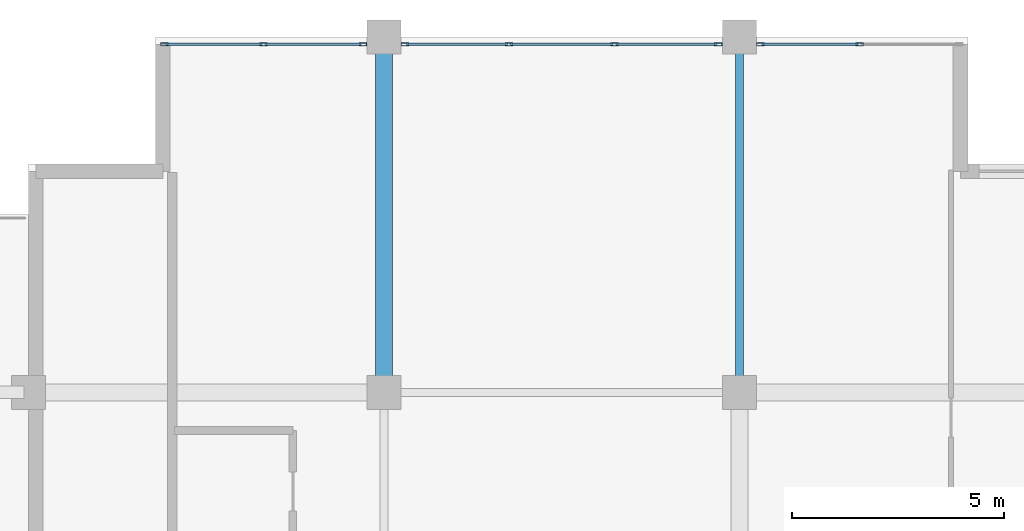
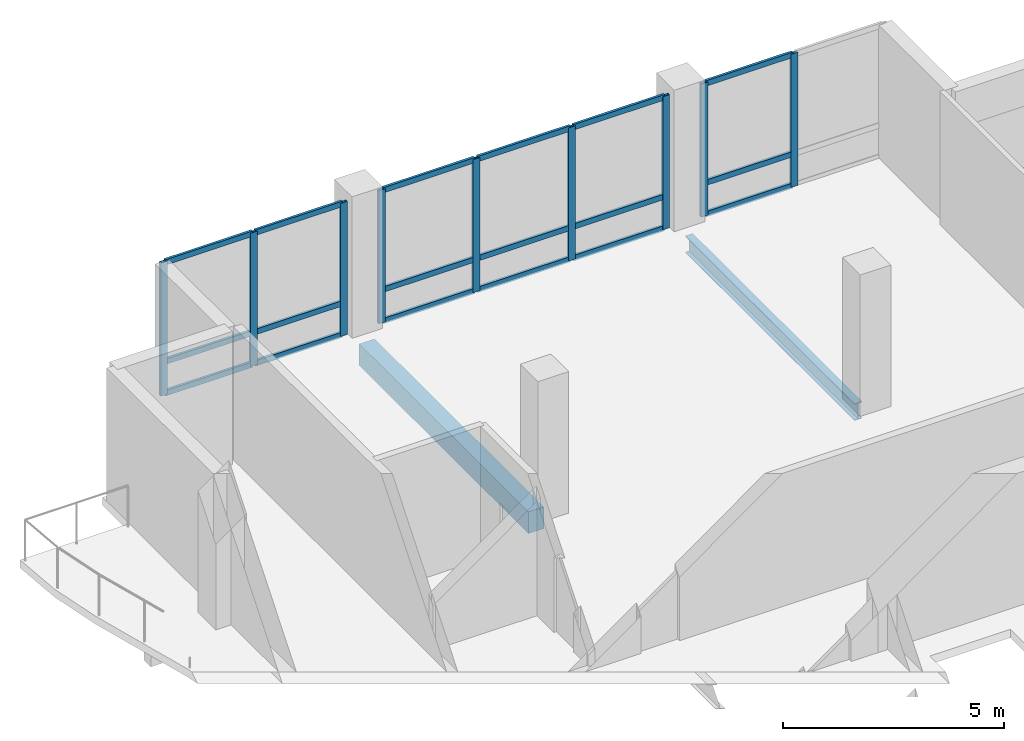
# One storey, part 3 of 17: 27 members, 2 beams, 3 elements without a shape of their own.
"""IFC4 building model written with IfcOpenShell, lengths in metres."""

from ifc_helpers import new_model, si_unit, direction, frame, origin, origin_2d, place, context, subcontext, project, spatial, rectangle, hollow_rectangle, i_section, extrude, material, layer, layer_set, material_profile, profile_set, type_object, element, aggregate, save


model = new_model("IFC4")

# Units and contexts
model_context = context("Model", 3, precision=1e-05, world=origin(), true_north=direction((0.0, 1.0)))
body_context = subcontext(model_context, "Body", "Model", "MODEL_VIEW")
ifc_project = project(units=[si_unit("LENGTHUNIT", "METRE"), si_unit("AREAUNIT", "SQUARE_METRE"), si_unit("VOLUMEUNIT", "CUBIC_METRE"), si_unit("PLANEANGLEUNIT", "RADIAN"), si_unit("MASSUNIT", "GRAM", prefix="KILO")], contexts=[model_context])

# Site, building, storey
site_placement = place(None, origin())
site = spatial("IfcSite", under=ifc_project, at=site_placement, CompositionType="ELEMENT")
building_placement = place(site_placement, origin())
building = spatial("IfcBuilding", under=site, at=building_placement, Name="Koriwani Terraces Tower", CompositionType="ELEMENT")
storey_placement = place(building_placement, frame((0.0, 0.0, 316.39990234375)))
storey = spatial("IfcBuildingStorey", under=building, at=storey_placement, Name="L78", CompositionType="ELEMENT", Elevation=316.39990234375)

# Beam
ifc_material_1 = material(Name="Concrete C40/50", Category="concrete")
ifc_material_profile_1 = material_profile(ifc_material_1, rectangle(XDim=0.39990234375, YDim=0.60009765625, at=origin_2d()), Name="Concrete C40/50", Category="LoadBearing")
ifc_profile_set_1 = profile_set([ifc_material_profile_1], Name="Concrete C40/50")
beam_type_1 = type_object("IfcBeamType", Name="BEAM_RC_GRID_400X600", PredefinedType="BEAM", material=ifc_profile_set_1)
beam_1_placement = place(storey_placement, frame((16.800048828125, 67.580078125, -0.52978515625), z_axis=(0.0, 1.0, 0.0), x_axis=(-1.0, 0.0, 0.0)))
element("IfcBeam", 1, at=beam_1_placement, inside=storey, type_object=beam_type_1, Name="L78 Grid Beam 3 (67.2-75.6m)", PredefinedType="BEAM", context=body_context, shape_type="SweptSolid", body=[
    extrude(rectangle(XDim=0.39990234375, YDim=0.60009765625, at=origin_2d()), origin(), (0.0, 0.0, 1.0), 7.639892578125),
])

# Curtain wall, members
ifc_material_2 = material(Name="Anodised Bronze Aluminium", Category="aluminium")
ifc_layer = layer(ifc_material_2, 0.18994140625, Name="Anodised Bronze Aluminium")
ifc_layer_set = layer_set([ifc_layer], Name="Anodised Bronze Aluminium")
curtain_wall_type = type_object("IfcCurtainWallType", Name="CW_PENTHOUSE_ZONE5", PredefinedType="NOTDEFINED", material=ifc_layer_set)
curtain_wall_1_placement = place(storey_placement, origin())
curtain_wall_1 = element("IfcCurtainWall", 2, at=curtain_wall_1_placement, inside=storey, type_object=curtain_wall_type, Name="L78 Unitised Curtain Wall (N_TIP) Bay 1", PredefinedType="NOTDEFINED")
ifc_material_profile_2 = material_profile(ifc_material_2, hollow_rectangle(XDim=0.074951171875, YDim=0.179931640625, WallThickness=0.006103515625, at=origin_2d()), Name="Anodised Bronze Aluminium", Category="LoadBearing")
ifc_profile_set_2 = profile_set([ifc_material_profile_2], Name="Anodised Bronze Aluminium")
member_type_1 = type_object("IfcMemberType", Name="CW_MULLION_180X75", PredefinedType="MULLION", material=ifc_profile_set_2)
member_1_placement = place(storey_placement, frame((11.612548828125, 75.425048828125, 0.0), z_axis=(0.0, 0.0, 1.0), x_axis=(0.0, 1.0, 0.0)))
member_1 = element("IfcMember", 3, at=member_1_placement, type_object=member_type_1, Name="CW-Z5 mullion 1", PredefinedType="MULLION", context=body_context, shape_type="SweptSolid", body=[
    extrude(hollow_rectangle(XDim=0.074951171875, YDim=0.179931640625, WallThickness=0.006103515625, at=origin_2d()), origin(), (0.0, 0.0, 1.0), 3.670166015625),
])
member_2_placement = place(storey_placement, frame((13.95751953125, 75.425048828125, 0.0), z_axis=(0.0, 0.0, 1.0), x_axis=(0.0, 1.0, 0.0)))
member_2 = element("IfcMember", 4, at=member_2_placement, type_object=member_type_1, Name="CW-Z5 mullion 2", PredefinedType="MULLION", context=body_context, shape_type="SweptSolid", body=[
    extrude(hollow_rectangle(XDim=0.074951171875, YDim=0.179931640625, WallThickness=0.006103515625, at=origin_2d()), origin(), (0.0, 0.0, 1.0), 3.670166015625),
])
member_3_placement = place(storey_placement, frame((16.302490234375, 75.425048828125, 0.0), z_axis=(0.0, 0.0, 1.0), x_axis=(0.0, 1.0, 0.0)))
member_3 = element("IfcMember", 5, at=member_3_placement, type_object=member_type_1, Name="CW-Z5 mullion 3", PredefinedType="MULLION", context=body_context, shape_type="SweptSolid", body=[
    extrude(hollow_rectangle(XDim=0.074951171875, YDim=0.179931640625, WallThickness=0.006103515625, at=origin_2d()), origin(), (0.0, 0.0, 1.0), 3.670166015625),
])

curtain_wall_2_placement = place(storey_placement, origin())
curtain_wall_2 = element("IfcCurtainWall", 6, at=curtain_wall_2_placement, inside=storey, type_object=curtain_wall_type, Name="L78 Unitised Curtain Wall (N_TIP) Bay 2", PredefinedType="NOTDEFINED")
member_4_placement = place(storey_placement, frame((17.297607421875, 75.425048828125, 0.0), z_axis=(0.0, 0.0, 1.0), x_axis=(0.0, 1.0, 0.0)))
member_4 = element("IfcMember", 7, at=member_4_placement, type_object=member_type_1, Name="CW-Z5 mullion 1", PredefinedType="MULLION", context=body_context, shape_type="SweptSolid", body=[
    extrude(hollow_rectangle(XDim=0.074951171875, YDim=0.179931640625, WallThickness=0.006103515625, at=origin_2d()), origin(), (0.0, 0.0, 1.0), 3.670166015625),
])
member_5_placement = place(storey_placement, frame((19.75341796875, 75.425048828125, 0.0), z_axis=(0.0, 0.0, 1.0), x_axis=(0.0, 1.0, 0.0)))
member_5 = element("IfcMember", 8, at=member_5_placement, type_object=member_type_1, Name="CW-Z5 mullion 2", PredefinedType="MULLION", context=body_context, shape_type="SweptSolid", body=[
    extrude(hollow_rectangle(XDim=0.074951171875, YDim=0.179931640625, WallThickness=0.006103515625, at=origin_2d()), origin(), (0.0, 0.0, 1.0), 3.670166015625),
])
member_6_placement = place(storey_placement, frame((22.24658203125, 75.425048828125, 0.0), z_axis=(0.0, 0.0, 1.0), x_axis=(0.0, 1.0, 0.0)))
member_6 = element("IfcMember", 9, at=member_6_placement, type_object=member_type_1, Name="CW-Z5 mullion 3", PredefinedType="MULLION", context=body_context, shape_type="SweptSolid", body=[
    extrude(hollow_rectangle(XDim=0.074951171875, YDim=0.179931640625, WallThickness=0.006103515625, at=origin_2d()), origin(), (0.0, 0.0, 1.0), 3.670166015625),
])
member_7_placement = place(storey_placement, frame((24.702392578125, 75.425048828125, 0.0), z_axis=(0.0, 0.0, 1.0), x_axis=(0.0, 1.0, 0.0)))
member_7 = element("IfcMember", 10, at=member_7_placement, type_object=member_type_1, Name="CW-Z5 mullion 4", PredefinedType="MULLION", context=body_context, shape_type="SweptSolid", body=[
    extrude(hollow_rectangle(XDim=0.074951171875, YDim=0.179931640625, WallThickness=0.006103515625, at=origin_2d()), origin(), (0.0, 0.0, 1.0), 3.670166015625),
])

curtain_wall_3_placement = place(storey_placement, origin())
curtain_wall_3 = element("IfcCurtainWall", 11, at=curtain_wall_3_placement, inside=storey, type_object=curtain_wall_type, Name="L78 Unitised Curtain Wall (N_TIP) Bay 3", PredefinedType="NOTDEFINED")
member_8_placement = place(storey_placement, frame((25.697509765625, 75.425048828125, 0.0), z_axis=(0.0, 0.0, 1.0), x_axis=(0.0, 1.0, 0.0)))
member_8 = element("IfcMember", 12, at=member_8_placement, type_object=member_type_1, Name="CW-Z5 mullion 1", PredefinedType="MULLION", context=body_context, shape_type="SweptSolid", body=[
    extrude(hollow_rectangle(XDim=0.074951171875, YDim=0.179931640625, WallThickness=0.006103515625, at=origin_2d()), origin(), (0.0, 0.0, 1.0), 3.670166015625),
])
member_9_placement = place(storey_placement, frame((28.04248046875, 75.425048828125, 0.0), z_axis=(0.0, 0.0, 1.0), x_axis=(0.0, 1.0, 0.0)))
member_9 = element("IfcMember", 13, at=member_9_placement, type_object=member_type_1, Name="CW-Z5 mullion 2", PredefinedType="MULLION", context=body_context, shape_type="SweptSolid", body=[
    extrude(hollow_rectangle(XDim=0.074951171875, YDim=0.179931640625, WallThickness=0.006103515625, at=origin_2d()), origin(), (0.0, 0.0, 1.0), 3.670166015625),
])

# Member
ifc_material_profile_3 = material_profile(ifc_material_2, hollow_rectangle(XDim=0.06494140625, YDim=0.14990234375, WallThickness=0.0048828125, at=origin_2d()), Name="Anodised Bronze Aluminium", Category="LoadBearing")
ifc_profile_set_3 = profile_set([ifc_material_profile_3], Name="Anodised Bronze Aluminium")
member_type_2 = type_object("IfcMemberType", Name="CW_TRANSOM_150X65", PredefinedType="USERDEFINED", material=ifc_profile_set_3)
member_10_placement = place(storey_placement, frame((11.64990234375, 75.425048828125, 0.03271484375), z_axis=(1.0, 0.0, 0.0), x_axis=(0.0, 1.0, 0.0)))
member_10 = element("IfcMember", 14, at=member_10_placement, type_object=member_type_2, Name="CW-Z5 transom 1.1", ObjectType="TRANSOM", PredefinedType="USERDEFINED", context=body_context, shape_type="SweptSolid", body=[
    extrude(hollow_rectangle(XDim=0.06494140625, YDim=0.14990234375, WallThickness=0.0048828125, at=origin_2d()), origin(), (0.0, 0.0, 1.0), 2.27001953125),
])

member_11_placement = place(storey_placement, frame((11.64990234375, 75.425048828125, 0.900146484375), z_axis=(1.0, 0.0, 0.0), x_axis=(0.0, 1.0, 0.0)))
member_11 = element("IfcMember", 15, at=member_11_placement, type_object=member_type_2, Name="CW-Z5 transom 1.2", ObjectType="TRANSOM", PredefinedType="USERDEFINED", context=body_context, shape_type="SweptSolid", body=[
    extrude(hollow_rectangle(XDim=0.06494140625, YDim=0.14990234375, WallThickness=0.0048828125, at=origin_2d()), origin(), (0.0, 0.0, 1.0), 2.27001953125),
])

member_12_placement = place(storey_placement, frame((11.64990234375, 75.425048828125, 3.6376953125), z_axis=(1.0, 0.0, 0.0), x_axis=(0.0, 1.0, 0.0)))
member_12 = element("IfcMember", 16, at=member_12_placement, type_object=member_type_2, Name="CW-Z5 transom 1.3", ObjectType="TRANSOM", PredefinedType="USERDEFINED", context=body_context, shape_type="SweptSolid", body=[
    extrude(hollow_rectangle(XDim=0.06494140625, YDim=0.14990234375, WallThickness=0.0048828125, at=origin_2d()), origin(), (0.0, 0.0, 1.0), 2.27001953125),
])

member_13_placement = place(storey_placement, frame((13.9951171875, 75.425048828125, 0.03271484375), z_axis=(1.0, 0.0, 0.0), x_axis=(0.0, 1.0, 0.0)))
member_13 = element("IfcMember", 17, at=member_13_placement, type_object=member_type_2, Name="CW-Z5 transom 2.1", ObjectType="TRANSOM", PredefinedType="USERDEFINED", context=body_context, shape_type="SweptSolid", body=[
    extrude(hollow_rectangle(XDim=0.06494140625, YDim=0.14990234375, WallThickness=0.0048828125, at=origin_2d()), origin(), (0.0, 0.0, 1.0), 2.269775390625),
])

member_14_placement = place(storey_placement, frame((13.9951171875, 75.425048828125, 0.900146484375), z_axis=(1.0, 0.0, 0.0), x_axis=(0.0, 1.0, 0.0)))
member_14 = element("IfcMember", 18, at=member_14_placement, type_object=member_type_2, Name="CW-Z5 transom 2.2", ObjectType="TRANSOM", PredefinedType="USERDEFINED", context=body_context, shape_type="SweptSolid", body=[
    extrude(hollow_rectangle(XDim=0.06494140625, YDim=0.14990234375, WallThickness=0.0048828125, at=origin_2d()), origin(), (0.0, 0.0, 1.0), 2.269775390625),
])

member_15_placement = place(storey_placement, frame((13.9951171875, 75.425048828125, 3.6376953125), z_axis=(1.0, 0.0, 0.0), x_axis=(0.0, 1.0, 0.0)))
member_15 = element("IfcMember", 19, at=member_15_placement, type_object=member_type_2, Name="CW-Z5 transom 2.3", ObjectType="TRANSOM", PredefinedType="USERDEFINED", context=body_context, shape_type="SweptSolid", body=[
    extrude(hollow_rectangle(XDim=0.06494140625, YDim=0.14990234375, WallThickness=0.0048828125, at=origin_2d()), origin(), (0.0, 0.0, 1.0), 2.269775390625),
])

aggregate(curtain_wall_1, [member_1, member_2, member_3, member_10, member_11, member_12, member_13, member_14, member_15])

member_16_placement = place(storey_placement, frame((17.3349609375, 75.425048828125, 0.03271484375), z_axis=(1.0, 0.0, 0.0), x_axis=(0.0, 1.0, 0.0)))
member_16 = element("IfcMember", 20, at=member_16_placement, type_object=member_type_2, Name="CW-Z5 transom 1.1", ObjectType="TRANSOM", PredefinedType="USERDEFINED", context=body_context, shape_type="SweptSolid", body=[
    extrude(hollow_rectangle(XDim=0.06494140625, YDim=0.14990234375, WallThickness=0.0048828125, at=origin_2d()), origin(), (0.0, 0.0, 1.0), 2.380859375),
])

member_17_placement = place(storey_placement, frame((17.3349609375, 75.425048828125, 0.900146484375), z_axis=(1.0, 0.0, 0.0), x_axis=(0.0, 1.0, 0.0)))
member_17 = element("IfcMember", 21, at=member_17_placement, type_object=member_type_2, Name="CW-Z5 transom 1.2", ObjectType="TRANSOM", PredefinedType="USERDEFINED", context=body_context, shape_type="SweptSolid", body=[
    extrude(hollow_rectangle(XDim=0.06494140625, YDim=0.14990234375, WallThickness=0.0048828125, at=origin_2d()), origin(), (0.0, 0.0, 1.0), 2.380859375),
])

member_18_placement = place(storey_placement, frame((17.3349609375, 75.425048828125, 3.6376953125), z_axis=(1.0, 0.0, 0.0), x_axis=(0.0, 1.0, 0.0)))
member_18 = element("IfcMember", 22, at=member_18_placement, type_object=member_type_2, Name="CW-Z5 transom 1.3", ObjectType="TRANSOM", PredefinedType="USERDEFINED", context=body_context, shape_type="SweptSolid", body=[
    extrude(hollow_rectangle(XDim=0.06494140625, YDim=0.14990234375, WallThickness=0.0048828125, at=origin_2d()), origin(), (0.0, 0.0, 1.0), 2.380859375),
])

member_19_placement = place(storey_placement, frame((19.790771484375, 75.425048828125, 0.03271484375), z_axis=(1.0, 0.0, 0.0), x_axis=(0.0, 1.0, 0.0)))
member_19 = element("IfcMember", 23, at=member_19_placement, type_object=member_type_2, Name="CW-Z5 transom 2.1", ObjectType="TRANSOM", PredefinedType="USERDEFINED", context=body_context, shape_type="SweptSolid", body=[
    extrude(hollow_rectangle(XDim=0.06494140625, YDim=0.14990234375, WallThickness=0.0048828125, at=origin_2d()), origin(), (0.0, 0.0, 1.0), 2.41845703125),
])

member_20_placement = place(storey_placement, frame((19.790771484375, 75.425048828125, 0.900146484375), z_axis=(1.0, 0.0, 0.0), x_axis=(0.0, 1.0, 0.0)))
member_20 = element("IfcMember", 24, at=member_20_placement, type_object=member_type_2, Name="CW-Z5 transom 2.2", ObjectType="TRANSOM", PredefinedType="USERDEFINED", context=body_context, shape_type="SweptSolid", body=[
    extrude(hollow_rectangle(XDim=0.06494140625, YDim=0.14990234375, WallThickness=0.0048828125, at=origin_2d()), origin(), (0.0, 0.0, 1.0), 2.41845703125),
])

member_21_placement = place(storey_placement, frame((19.790771484375, 75.425048828125, 3.6376953125), z_axis=(1.0, 0.0, 0.0), x_axis=(0.0, 1.0, 0.0)))
member_21 = element("IfcMember", 25, at=member_21_placement, type_object=member_type_2, Name="CW-Z5 transom 2.3", ObjectType="TRANSOM", PredefinedType="USERDEFINED", context=body_context, shape_type="SweptSolid", body=[
    extrude(hollow_rectangle(XDim=0.06494140625, YDim=0.14990234375, WallThickness=0.0048828125, at=origin_2d()), origin(), (0.0, 0.0, 1.0), 2.41845703125),
])

member_22_placement = place(storey_placement, frame((22.2841796875, 75.425048828125, 0.03271484375), z_axis=(1.0, 0.0, 0.0), x_axis=(0.0, 1.0, 0.0)))
member_22 = element("IfcMember", 26, at=member_22_placement, type_object=member_type_2, Name="CW-Z5 transom 3.1", ObjectType="TRANSOM", PredefinedType="USERDEFINED", context=body_context, shape_type="SweptSolid", body=[
    extrude(hollow_rectangle(XDim=0.06494140625, YDim=0.14990234375, WallThickness=0.0048828125, at=origin_2d()), origin(), (0.0, 0.0, 1.0), 2.380859375),
])

member_23_placement = place(storey_placement, frame((22.2841796875, 75.425048828125, 0.900146484375), z_axis=(1.0, 0.0, 0.0), x_axis=(0.0, 1.0, 0.0)))
member_23 = element("IfcMember", 27, at=member_23_placement, type_object=member_type_2, Name="CW-Z5 transom 3.2", ObjectType="TRANSOM", PredefinedType="USERDEFINED", context=body_context, shape_type="SweptSolid", body=[
    extrude(hollow_rectangle(XDim=0.06494140625, YDim=0.14990234375, WallThickness=0.0048828125, at=origin_2d()), origin(), (0.0, 0.0, 1.0), 2.380859375),
])

member_24_placement = place(storey_placement, frame((22.2841796875, 75.425048828125, 3.6376953125), z_axis=(1.0, 0.0, 0.0), x_axis=(0.0, 1.0, 0.0)))
member_24 = element("IfcMember", 28, at=member_24_placement, type_object=member_type_2, Name="CW-Z5 transom 3.3", ObjectType="TRANSOM", PredefinedType="USERDEFINED", context=body_context, shape_type="SweptSolid", body=[
    extrude(hollow_rectangle(XDim=0.06494140625, YDim=0.14990234375, WallThickness=0.0048828125, at=origin_2d()), origin(), (0.0, 0.0, 1.0), 2.380859375),
])

aggregate(curtain_wall_2, [member_4, member_5, member_6, member_7, member_16, member_17, member_18, member_19, member_20, member_21, member_22, member_23, member_24])

member_25_placement = place(storey_placement, frame((25.735107421875, 75.425048828125, 0.03271484375), z_axis=(1.0, 0.0, 0.0), x_axis=(0.0, 1.0, 0.0)))
member_25 = element("IfcMember", 29, at=member_25_placement, type_object=member_type_2, Name="CW-Z5 transom 1.1", ObjectType="TRANSOM", PredefinedType="USERDEFINED", context=body_context, shape_type="SweptSolid", body=[
    extrude(hollow_rectangle(XDim=0.06494140625, YDim=0.14990234375, WallThickness=0.0048828125, at=origin_2d()), origin(), (0.0, 0.0, 1.0), 2.269775390625),
])

member_26_placement = place(storey_placement, frame((25.735107421875, 75.425048828125, 0.900146484375), z_axis=(1.0, 0.0, 0.0), x_axis=(0.0, 1.0, 0.0)))
member_26 = element("IfcMember", 30, at=member_26_placement, type_object=member_type_2, Name="CW-Z5 transom 1.2", ObjectType="TRANSOM", PredefinedType="USERDEFINED", context=body_context, shape_type="SweptSolid", body=[
    extrude(hollow_rectangle(XDim=0.06494140625, YDim=0.14990234375, WallThickness=0.0048828125, at=origin_2d()), origin(), (0.0, 0.0, 1.0), 2.269775390625),
])

member_27_placement = place(storey_placement, frame((25.735107421875, 75.425048828125, 3.6376953125), z_axis=(1.0, 0.0, 0.0), x_axis=(0.0, 1.0, 0.0)))
member_27 = element("IfcMember", 31, at=member_27_placement, type_object=member_type_2, Name="CW-Z5 transom 1.3", ObjectType="TRANSOM", PredefinedType="USERDEFINED", context=body_context, shape_type="SweptSolid", body=[
    extrude(hollow_rectangle(XDim=0.06494140625, YDim=0.14990234375, WallThickness=0.0048828125, at=origin_2d()), origin(), (0.0, 0.0, 1.0), 2.269775390625),
])

aggregate(curtain_wall_3, [member_8, member_9, member_25, member_26, member_27])

# Beam
ifc_material_3 = material(Name="Steel ASTM A572 Grade 50", Category="steel")
ifc_material_profile_4 = material_profile(ifc_material_3, i_section(OverallWidth=0.193115234375, OverallDepth=0.462890625, WebThickness=0.0107421875, FlangeThickness=0.017333984375, at=origin_2d()), Name="Steel ASTM A572 Grade 50", Category="LoadBearing")
ifc_profile_set_4 = profile_set([ifc_material_profile_4], Name="Steel ASTM A572 Grade 50")
beam_type_2 = type_object("IfcBeamType", Name="STEEL_BEAM_W460X113", PredefinedType="BEAM", material=ifc_profile_set_4)
beam_2_placement = place(storey_placement, frame((25.199951171875, 67.580078125, -0.46142578125), z_axis=(0.0, 1.0, 0.0), x_axis=(-1.0, 0.0, 0.0)))
element("IfcBeam", 32, at=beam_2_placement, inside=storey, type_object=beam_type_2, Name="L78 Grid Beam 4 (67.2-75.6m)", PredefinedType="BEAM", context=body_context, shape_type="SweptSolid", body=[
    extrude(i_section(OverallWidth=0.193115234375, OverallDepth=0.462890625, WebThickness=0.0107421875, FlangeThickness=0.017333984375, at=origin_2d()), origin(), (0.0, 0.0, 1.0), 7.639892578125),
])

save(model, "model.ifc")
